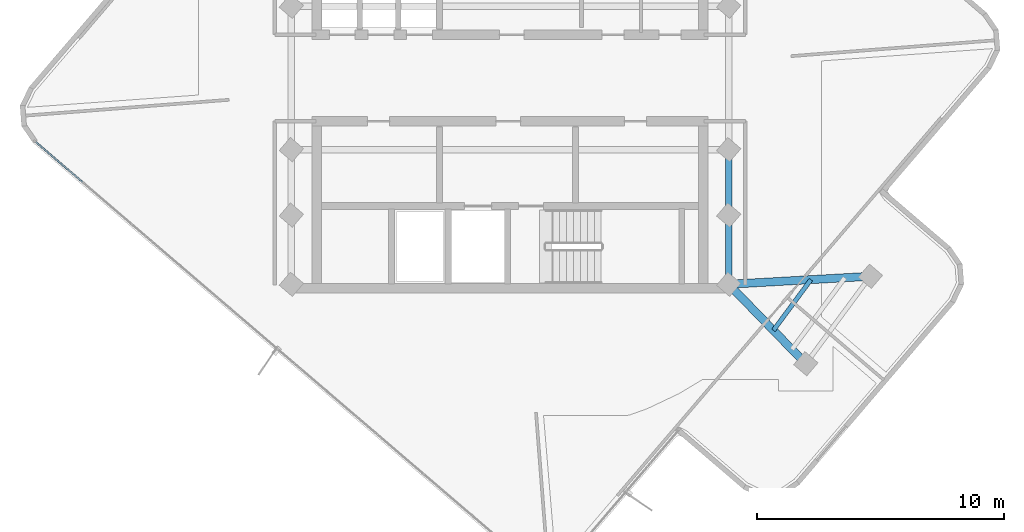
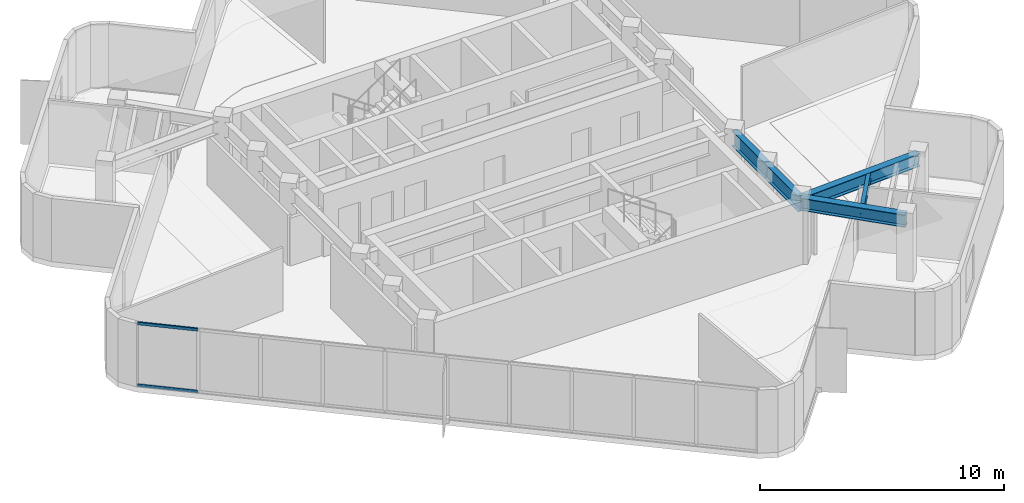
# One storey, part 3 of 11: 5 beams, 2 members, 1 element without a shape of its own.
"""IFC4 building model written with IfcOpenShell, lengths in metres."""

import ifcopenshell
import ifcopenshell.guid

model = None  # the IFC model being written
_history = None  # IfcOwnerHistory: only IFC2X3 demands one
_inside = {}  # id of a spatial element -> (the spatial element, [elements in it])
_under = {}  # id of a project, library or spatial element -> (it, [spatial elements below it])
_declared = {}  # id of a project -> (the project, [libraries it declares])
_typed = {}  # id of a type object -> (the type object, [elements of that type])
_made_of = {}  # id of a material, layer set ... -> (it, [elements and type objects made of it])


def new_model(schema):
    """Start an empty IFC model of exactly this schema.

    Asked for "IFC4X3", IfcOpenShell would pick the latest addendum, in which some entities
    have other attributes; the version numbers below select the first issue.
    IFC2X3 requires an IfcOwnerHistory on every rooted entity: one is made here for all.
    """
    global model, _history
    if schema == "IFC4X3":
        model = ifcopenshell.file(schema_version=(4, 3, 0, 0))
    else:
        model = ifcopenshell.file(schema=schema)
    _inside.clear()
    _under.clear()
    _declared.clear()
    _typed.clear()
    _made_of.clear()
    _history = None
    if model.schema == "IFC2X3":
        org = make("IfcOrganization", Name="unknown")
        user = make(
            "IfcPersonAndOrganization",
            ThePerson=make("IfcPerson", FamilyName="unknown"),
            TheOrganization=org,
        )
        app = make(
            "IfcApplication",
            ApplicationDeveloper=org,
            Version="unknown",
            ApplicationFullName="unknown",
            ApplicationIdentifier="unknown",
        )
        _history = make(
            "IfcOwnerHistory",
            OwningUser=user,
            OwningApplication=app,
            ChangeAction="ADDED",
            CreationDate=0,
        )
    return model


def make(cls, **values):
    """One entity of the class cls with the attributes given. An attribute that is None is left unset."""
    return model.create_entity(
        cls, **{name: value for name, value in values.items() if value is not None}
    )


def rooted(cls, **values):
    """An entity with a GlobalId (a new one), such as an element, a storey or a relation."""
    return make(cls, GlobalId=ifcopenshell.guid.new(), OwnerHistory=_history, **values)


def si_unit(unit_type, name, prefix=None):
    """IfcSIUnit, for example si_unit("LENGTHUNIT", "METRE", prefix="MILLI")."""
    return make("IfcSIUnit", UnitType=unit_type, Prefix=prefix, Name=name)


def assignment(units):
    """IfcUnitAssignment: the units of a project."""
    return None if units is None else make("IfcUnitAssignment", Units=units)


def point(xyz):
    """IfcCartesianPoint."""
    return None if xyz is None else make("IfcCartesianPoint", Coordinates=xyz)


def direction(xyz):
    """IfcDirection."""
    return None if xyz is None else make("IfcDirection", DirectionRatios=xyz)


def frame(location, z_axis=None, x_axis=None):
    """IfcAxis2Placement3D, a coordinate frame: its origin and axes. An axis left out is left unset."""
    return make(
        "IfcAxis2Placement3D",
        Location=point(location),
        Axis=direction(z_axis),
        RefDirection=direction(x_axis),
    )


def frame_2d(location, x_axis=None):
    """IfcAxis2Placement2D, a coordinate frame in the plane: its origin and x axis."""
    return make(
        "IfcAxis2Placement2D", Location=point(location), RefDirection=direction(x_axis)
    )


def origin():
    """The frame at (0, 0, 0) with its axes left unset."""
    return frame((0.0, 0.0, 0.0))


def origin_2d():
    """The frame at (0, 0) in the plane with its x axis left unset."""
    return frame_2d((0.0, 0.0))


def place(relative_to, where):
    """IfcLocalPlacement: puts the frame where relative to a parent placement (None: the world)."""
    return make(
        "IfcLocalPlacement", PlacementRelTo=relative_to, RelativePlacement=where
    )


def context(
    kind, dimensions, precision=None, world=None, true_north=None, identifier=None
):
    """IfcGeometricRepresentationContext, for example the 3D "Model" context."""
    return make(
        "IfcGeometricRepresentationContext",
        ContextIdentifier=identifier,
        ContextType=kind,
        CoordinateSpaceDimension=dimensions,
        Precision=precision,
        WorldCoordinateSystem=world,
        TrueNorth=true_north,
    )


def subcontext(parent, identifier, kind, view, scale=None):
    """IfcGeometricRepresentationSubContext, for example "Body" below "Model"."""
    return make(
        "IfcGeometricRepresentationSubContext",
        ContextIdentifier=identifier,
        ContextType=kind,
        ParentContext=parent,
        TargetScale=scale,
        TargetView=view,
    )


def project(units=None, contexts=None):
    """IfcProject with its units and contexts."""
    return rooted(
        "IfcProject",
        Name="project",
        RepresentationContexts=contexts,
        UnitsInContext=assignment(units),
    )


def spatial(cls, under=None, at=None, **own):
    """A site, building, storey or space (cls), placed at a placement, below another one or the project."""
    s = rooted(cls, ObjectPlacement=at, **own)
    if under is not None:
        _under.setdefault(under.id(), (under, []))[1].append(s)
    return s


def profile(cls, at=None, kind="AREA", **sizes):
    """A parametric profile (cls). Its sizes go by their IFC names, for example OverallWidth=200.0."""
    return make(cls, ProfileType=kind, Position=at, **sizes)


def rectangle(**sizes):
    """IfcRectangleProfileDef."""
    return profile("IfcRectangleProfileDef", **sizes)


def i_section(**sizes):
    """IfcIShapeProfileDef."""
    return profile("IfcIShapeProfileDef", **sizes)


def extrude(swept, where, along, depth):
    """IfcExtrudedAreaSolid: the profile swept, set in the frame where, extruded along a direction by depth."""
    return make(
        "IfcExtrudedAreaSolid",
        SweptArea=swept,
        Position=where,
        ExtrudedDirection=direction(along),
        Depth=depth,
    )


def shape(context_of_items, identifier, shape_type, items):
    """IfcShapeRepresentation: the items that make up one representation, for example the "Body"."""
    return make(
        "IfcShapeRepresentation",
        ContextOfItems=context_of_items,
        RepresentationIdentifier=identifier,
        RepresentationType=shape_type,
        Items=items,
    )


def material(Name=None, Category=None):
    """IfcMaterial."""
    return make("IfcMaterial", Name=Name, Category=Category)


def layer(
    of_material, thickness, ventilated=None, Name=None, Category=None, Priority=None
):
    """IfcMaterialLayer: one layer of a wall or slab, of a material (None: an air gap)."""
    return make(
        "IfcMaterialLayer",
        Material=of_material,
        LayerThickness=thickness,
        IsVentilated=ventilated,
        Name=Name,
        Category=Category,
        Priority=Priority,
    )


def layer_set(layers, Name=None):
    """IfcMaterialLayerSet."""
    return make("IfcMaterialLayerSet", MaterialLayers=layers, LayerSetName=Name)


def material_profile(
    of_material, cross_section, Name=None, Category=None, Priority=None
):
    """IfcMaterialProfile: a cross section and its material."""
    return make(
        "IfcMaterialProfile",
        Name=Name,
        Material=of_material,
        Profile=cross_section,
        Priority=Priority,
        Category=Category,
    )


def profile_set(profiles, Name=None, composite=None):
    """IfcMaterialProfileSet."""
    return make(
        "IfcMaterialProfileSet",
        Name=Name,
        MaterialProfiles=profiles,
        CompositeProfile=composite,
    )


def made_of(thing, what):
    """Note that an element or type object is made of a material, layer set ...; save() writes the relation."""
    if what is not None:
        _made_of.setdefault(what.id(), (what, []))[1].append(thing)
    return thing


def type_object(cls, material=None, **own):
    """A type object (cls), such as IfcWallType, which elements share."""
    return made_of(rooted(cls, **own), material)


def element(
    cls,
    number,
    at=None,
    inside=None,
    cuts=None,
    type_object=None,
    material=None,
    context=None,
    identifier="Body",
    shape_type=None,
    held_by="IfcProductDefinitionShape",
    body=None,
    shapes=None,
    **own,
):
    """One element of the class cls, such as IfcWall. Its Tag is "e" and its number.

    at: its placement. inside: the storey or other place that contains it. cuts: it is an
    opening in that element (IfcRelVoidsElement). A single representation is given by context,
    identifier, shape_type and body (its items); several are given by shapes. held_by: the class
    of the entity that holds the representations. save() writes the other relations.
    """
    e = rooted(cls, Tag="e%d" % number, ObjectPlacement=at, **own)
    if body is not None:
        shapes = [shape(context, identifier, shape_type, body)]
    if shapes is not None:
        e.Representation = make(held_by, Representations=shapes)
    if inside is not None:
        _inside.setdefault(inside.id(), (inside, []))[1].append(e)
    if cuts is not None:
        rooted(
            "IfcRelVoidsElement", RelatingBuildingElement=cuts, RelatedOpeningElement=e
        )
    if type_object is not None:
        _typed.setdefault(type_object.id(), (type_object, []))[1].append(e)
    return made_of(e, material)


def aggregate(whole, parts):
    """IfcRelAggregates: a whole, such as a stair, and the parts it consists of."""
    return rooted("IfcRelAggregates", RelatingObject=whole, RelatedObjects=parts)


def save(model, path):
    """Write the relations noted so far, then the file.

    IfcRelAggregates (storeys below a building ...), IfcRelContainedInSpatialStructure (elements
    in a storey), IfcRelDefinesByType, IfcRelAssociatesMaterial and IfcRelDeclares: one each for
    every whole, place, type object, material and project.
    """
    for whole, parts in _under.values():
        aggregate(whole, parts)
    for where, things in _inside.values():
        rooted(
            "IfcRelContainedInSpatialStructure",
            RelatedElements=things,
            RelatingStructure=where,
        )
    for kind, things in _typed.values():
        rooted("IfcRelDefinesByType", RelatedObjects=things, RelatingType=kind)
    for what, things in _made_of.values():
        rooted("IfcRelAssociatesMaterial", RelatedObjects=things, RelatingMaterial=what)
    for by, libraries in _declared.values():
        rooted("IfcRelDeclares", RelatingContext=by, RelatedDefinitions=libraries)
    model.write(path)


model = new_model("IFC4")

# Units and contexts
model_context = context("Model", 3, precision=1e-05, world=origin(), true_north=direction((0.0, 1.0)))
body_context = subcontext(model_context, "Body", "Model", "MODEL_VIEW")
ifc_project = project(units=[si_unit("LENGTHUNIT", "METRE"), si_unit("AREAUNIT", "SQUARE_METRE"), si_unit("VOLUMEUNIT", "CUBIC_METRE"), si_unit("PLANEANGLEUNIT", "RADIAN"), si_unit("MASSUNIT", "GRAM", prefix="KILO")], contexts=[model_context])

# Site, building, storey
site_placement = place(None, origin())
site = spatial("IfcSite", under=ifc_project, at=site_placement, CompositionType="ELEMENT")
building_placement = place(site_placement, origin())
building = spatial("IfcBuilding", under=site, at=building_placement, Name="Solmarez Civic Tower", CompositionType="ELEMENT")
storey_placement = place(building_placement, frame((0.0, 0.0, 250.919921875)))
storey = spatial("IfcBuildingStorey", under=building, at=storey_placement, Name="L67", CompositionType="ELEMENT", Elevation=250.919921875)

# Beams
ifc_material_1 = material(Name="Steel S355", Category="steel")
ifc_material_profile_1 = material_profile(ifc_material_1, i_section(OverallWidth=0.178955078125, OverallDepth=0.409912109375, WebThickness=0.0087890625, FlangeThickness=0.014404296875, at=origin_2d()), Name="W16X45")
ifc_profile_set_1 = profile_set([ifc_material_profile_1], Name="Steel S355")
beam_type_1 = type_object("IfcBeamType", Name="BM-JS-W16X45", PredefinedType="JOIST", material=ifc_profile_set_1)
beam_1_placement = place(storey_placement, frame((10.659912109375, -10.215087890625, 2.955078125), z_axis=(0.593812477683, 0.804603468392, 0.0), x_axis=(-0.804603468392, 0.593812477683, 0.0)))
element("IfcBeam", 1, at=beam_1_placement, inside=storey, type_object=beam_type_1, Name="L67 Secondary Floor Joist JS-L67-SA-M11", PredefinedType="JOIST", context=body_context, shape_type="SweptSolid", body=[
    extrude(i_section(OverallWidth=0.178955078125, OverallDepth=0.409912109375, WebThickness=0.0087890625, FlangeThickness=0.014404296875, at=origin_2d()), origin(), (0.0, 0.0, 1.0), 2.551513671875),
])
ifc_material_profile_2 = material_profile(ifc_material_1, i_section(OverallWidth=0.327880859375, OverallDepth=0.6220703125, WebThickness=0.015380859375, FlangeThickness=0.0244140625, at=origin_2d()), Name="W24X131")
ifc_profile_set_2 = profile_set([ifc_material_profile_2], Name="Steel S355")
beam_type_2 = type_object("IfcBeamType", Name="BM-PR-W24X131", PredefinedType="BEAM", material=ifc_profile_set_2)
beam_2_placement = place(storey_placement, frame((8.85009765625, -8.35009765625, 2.84912109375), z_axis=(0.696430820305, -0.717623935309, 0.0), x_axis=(0.717623935309, 0.696430820305, 0.0)))
element("IfcBeam", 2, at=beam_2_placement, inside=storey, type_object=beam_type_2, Name="L67 Primary Floor Beam BM-L67-SA-R1A", PredefinedType="BEAM", context=body_context, shape_type="SweptSolid", body=[
    extrude(i_section(OverallWidth=0.327880859375, OverallDepth=0.6220703125, WebThickness=0.015380859375, FlangeThickness=0.0244140625, at=origin_2d()), origin(), (0.0, 0.0, 1.0), 4.481201171875),
])
beam_3_placement = place(storey_placement, frame((8.85009765625, -8.35009765625, 2.84912109375), z_axis=(0.998404650863, 0.056463732917, 0.0), x_axis=(-0.056463732917, 0.998404650863, 0.0)))
element("IfcBeam", 3, at=beam_3_placement, inside=storey, type_object=beam_type_2, Name="L67 Primary Floor Beam BM-L67-SA-R1B", PredefinedType="BEAM", context=body_context, shape_type="SweptSolid", body=[
    extrude(i_section(OverallWidth=0.327880859375, OverallDepth=0.6220703125, WebThickness=0.015380859375, FlangeThickness=0.0244140625, at=origin_2d()), origin(), (0.0, 0.0, 1.0), 5.7421875),
])
ifc_material_profile_3 = material_profile(ifc_material_1, i_section(OverallWidth=0.26708984375, OverallDepth=0.761962890625, WebThickness=0.014404296875, FlangeThickness=0.021484375, at=origin_2d()), Name="W30X116")
ifc_profile_set_3 = profile_set([ifc_material_profile_3], Name="Steel S355")
beam_type_3 = type_object("IfcBeamType", Name="BM-PR-W30X116", PredefinedType="BEAM", material=ifc_profile_set_3)
beam_4_placement = place(storey_placement, frame((8.85009765625, -8.35009765625, 2.779052734375), z_axis=(0.0, 1.0, 0.0), x_axis=(-1.0, 0.0, 0.0)))
element("IfcBeam", 4, at=beam_4_placement, inside=storey, type_object=beam_type_3, Name="L67 Primary Floor Beam BM-L67-HC10-HC5", PredefinedType="BEAM", context=body_context, shape_type="SweptSolid", body=[
    extrude(i_section(OverallWidth=0.26708984375, OverallDepth=0.761962890625, WebThickness=0.014404296875, FlangeThickness=0.021484375, at=origin_2d()), origin(), (0.0, 0.0, 1.0), 2.800048828125),
])
beam_5_placement = place(storey_placement, frame((8.85009765625, -5.550048828125, 2.779052734375), z_axis=(0.0, 1.0, 0.0), x_axis=(-1.0, 0.0, 0.0)))
element("IfcBeam", 5, at=beam_5_placement, inside=storey, type_object=beam_type_3, Name="L67 Primary Floor Beam BM-L67-HC5-HC6", PredefinedType="BEAM", context=body_context, shape_type="SweptSolid", body=[
    extrude(i_section(OverallWidth=0.26708984375, OverallDepth=0.761962890625, WebThickness=0.014404296875, FlangeThickness=0.021484375, at=origin_2d()), origin(), (0.0, 0.0, 1.0), 2.650146484375),
])

# Curtain wall, members
ifc_material_2 = material(Name="Bronze Anodised Aluminium EN AW-6063 T6", Category="aluminium")
ifc_layer = layer(ifc_material_2, 0.1650390625)
ifc_layer_set = layer_set([ifc_layer], Name="Bronze Anodised Aluminium EN AW-6063 T6")
curtain_wall_type = type_object("IfcCurtainWallType", Name="CW-SYS-4", PredefinedType="NOTDEFINED", material=ifc_layer_set)
curtain_wall_placement = place(storey_placement, origin())
curtain_wall = element("IfcCurtainWall", 6, at=curtain_wall_placement, inside=storey, type_object=curtain_wall_type, Name="L67 Stick-Built Curtain Wall 2", PredefinedType="NOTDEFINED")
ifc_material_profile_4 = material_profile(ifc_material_2, rectangle(XDim=0.070068359375, YDim=0.139892578125, at=origin_2d()), Name="CWT-70X140")
ifc_profile_set_4 = profile_set([ifc_material_profile_4], Name="Bronze Anodised Aluminium EN AW-6063 T6")
member_type = type_object("IfcMemberType", Name="CWT-TYPE-1", PredefinedType="USERDEFINED", material=ifc_profile_set_4)
member_1_placement = place(storey_placement, frame((-17.29638671875, -4.216064453125, 0.03515625), z_axis=(-0.759766021549, 0.65019657989, 0.0), x_axis=(-0.65019657989, -0.759766021549, 0.0)))
member_1 = element("IfcMember", 7, at=member_1_placement, type_object=member_type, Name="CWS4 transom 10.1", ObjectType="TRANSOM", PredefinedType="USERDEFINED", context=body_context, shape_type="SweptSolid", body=[
    extrude(rectangle(XDim=0.070068359375, YDim=0.139892578125, at=origin_2d()), origin(), (0.0, 0.0, 1.0), 2.502197265625),
])
member_2_placement = place(storey_placement, frame((-17.29638671875, -4.216064453125, 3.125), z_axis=(-0.759766021549, 0.65019657989, 0.0), x_axis=(-0.65019657989, -0.759766021549, 0.0)))
member_2 = element("IfcMember", 8, at=member_2_placement, type_object=member_type, Name="CWS4 transom 10.2", ObjectType="TRANSOM", PredefinedType="USERDEFINED", context=body_context, shape_type="SweptSolid", body=[
    extrude(rectangle(XDim=0.070068359375, YDim=0.139892578125, at=origin_2d()), origin(), (0.0, 0.0, 1.0), 2.502197265625),
])
aggregate(curtain_wall, [member_1, member_2])

save(model, "model.ifc")
